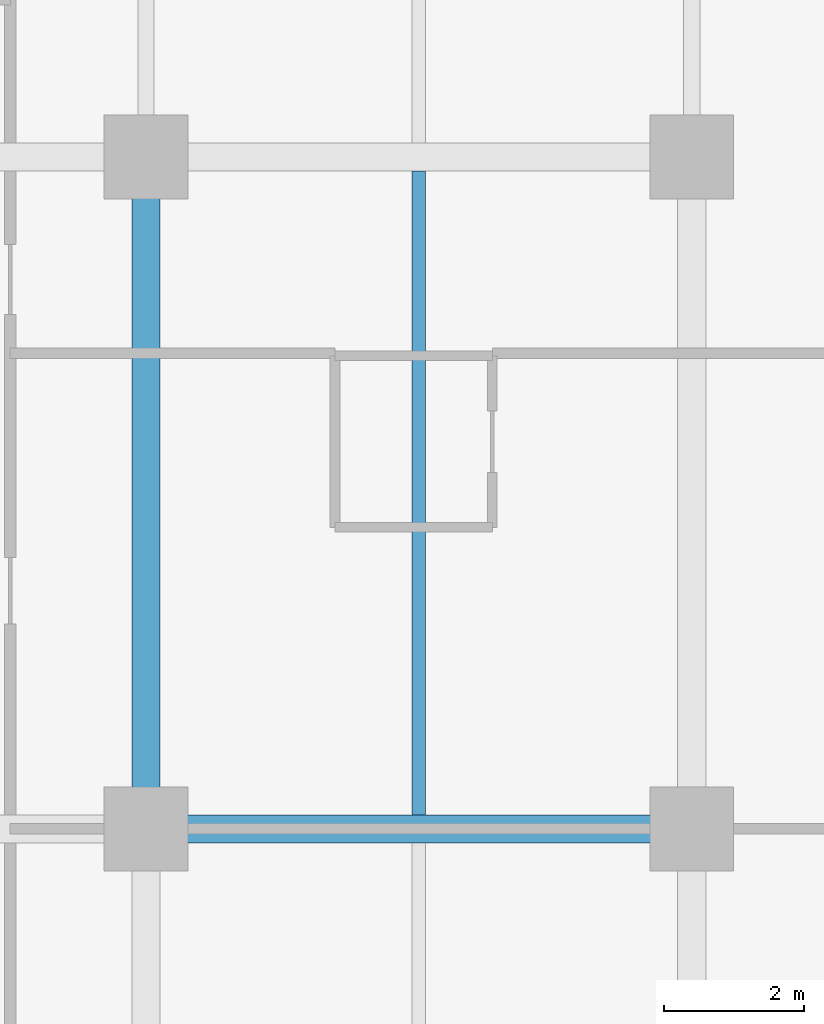
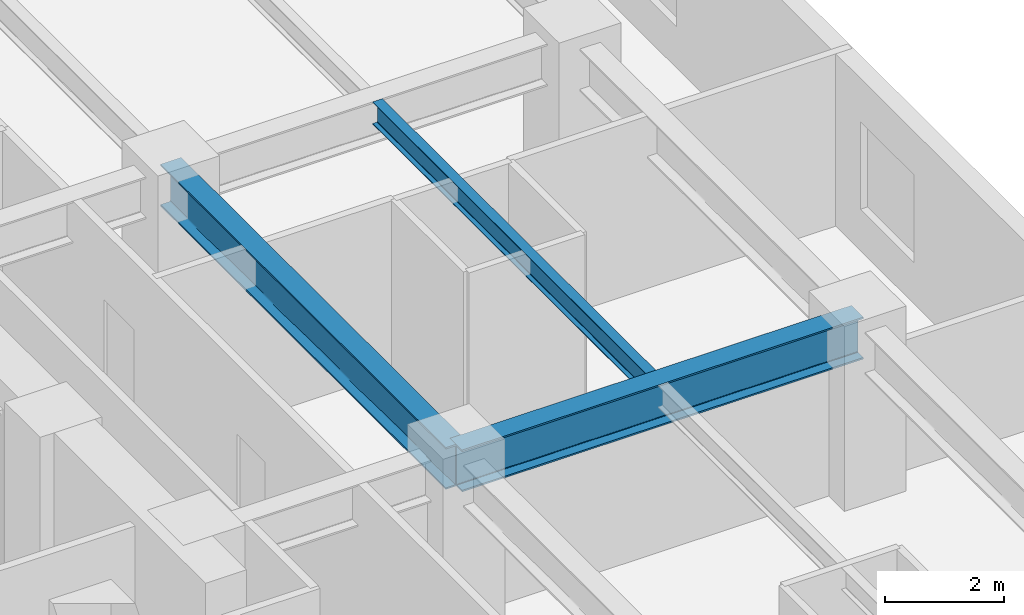
# One storey, part 2 of 12: 3 beams.
"""IFC4 building model written with IfcOpenShell, lengths in metres."""

from ifc_helpers import new_model, si_unit, direction, frame, origin, origin_2d, place, context, subcontext, project, spatial, i_section, extrude, material, material_profile, profile_set, type_object, element, save


model = new_model("IFC4")

# Units and contexts
model_context = context("Model", 3, precision=1e-05, world=origin(), true_north=direction((0.0, 1.0)))
body_context = subcontext(model_context, "Body", "Model", "MODEL_VIEW")
ifc_project = project(units=[si_unit("LENGTHUNIT", "METRE"), si_unit("AREAUNIT", "SQUARE_METRE"), si_unit("VOLUMEUNIT", "CUBIC_METRE"), si_unit("PLANEANGLEUNIT", "RADIAN"), si_unit("MASSUNIT", "GRAM", prefix="KILO")], contexts=[model_context])

# Site, building, storey
site_placement = place(None, origin())
site = spatial("IfcSite", under=ifc_project, at=site_placement, CompositionType="ELEMENT")
building_placement = place(site_placement, origin())
building = spatial("IfcBuilding", under=site, at=building_placement, Name="Kestravale Grand Hotel", CompositionType="ELEMENT")
storey_placement = place(building_placement, frame((0.0, 0.0, 103.199951171875)))
storey = spatial("IfcBuildingStorey", under=building, at=storey_placement, Name="L25", CompositionType="ELEMENT", Elevation=103.199951171875)

# Beams
ifc_material_1 = material(Name="Steel ASTM A992 Grade 50", Category="steel")
ifc_material_profile_1 = material_profile(ifc_material_1, i_section(OverallWidth=0.19091796875, OverallDepth=0.45703125, WebThickness=0.009033203125, FlangeThickness=0.014404296875, FilletRadius=0.015380859375, at=origin_2d()))
ifc_profile_set_1 = profile_set([ifc_material_profile_1], Name="Steel ASTM A992 Grade 50")
beam_type_1 = type_object("IfcBeamType", Name="B-FLR-JST18", PredefinedType="JOIST", material=ifc_profile_set_1)
beam_1_placement = place(storey_placement, frame((66.300048828125, 29.00048828125, 3.3115234375), z_axis=(0.0, 1.0, 0.0), x_axis=(-1.0, 0.0, 0.0)))
element("IfcBeam", 1, at=beam_1_placement, inside=storey, type_object=beam_type_1, Name="L25 floor joist 10-11/E-F #1", PredefinedType="JOIST", context=body_context, shape_type="SweptSolid", body=[
    extrude(i_section(OverallWidth=0.19091796875, OverallDepth=0.45703125, WebThickness=0.009033203125, FlangeThickness=0.014404296875, FilletRadius=0.015380859375, at=origin_2d()), origin(), (0.0, 0.0, 1.0), 9.198974609375),
])
ifc_material_2 = material(Name="Steel ASTM A992 Grade 50", Category="steel")
ifc_material_profile_2 = material_profile(ifc_material_2, i_section(OverallWidth=0.40087890625, OverallDepth=0.861083984375, WebThickness=0.019775390625, FlangeThickness=0.032470703125, FilletRadius=0.0234375, at=origin_2d()))
ifc_profile_set_2 = profile_set([ifc_material_profile_2], Name="Steel ASTM A992 Grade 50")
beam_type_2 = type_object("IfcBeamType", Name="B-GRD-W33", PredefinedType="BEAM", material=ifc_profile_set_2)
beam_2_placement = place(storey_placement, frame((62.39990234375, 28.800048828125, 3.109619140625), z_axis=(1.0, 0.0, 0.0), x_axis=(0.0, 1.0, 0.0)))
element("IfcBeam", 2, at=beam_2_placement, inside=storey, type_object=beam_type_2, Name="L25 girder E:10-11", PredefinedType="BEAM", context=body_context, shape_type="SweptSolid", body=[
    extrude(i_section(OverallWidth=0.40087890625, OverallDepth=0.861083984375, WebThickness=0.019775390625, FlangeThickness=0.032470703125, FilletRadius=0.0234375, at=origin_2d()), origin(), (0.0, 0.0, 1.0), 7.800048828125),
])
beam_3_placement = place(storey_placement, frame((62.39990234375, 28.800048828125, 3.109619140625), z_axis=(0.0, 1.0, 0.0), x_axis=(-1.0, 0.0, 0.0)))
element("IfcBeam", 3, at=beam_3_placement, inside=storey, type_object=beam_type_2, Name="L25 girder 10:E-F", PredefinedType="BEAM", context=body_context, shape_type="SweptSolid", body=[
    extrude(i_section(OverallWidth=0.40087890625, OverallDepth=0.861083984375, WebThickness=0.019775390625, FlangeThickness=0.032470703125, FilletRadius=0.0234375, at=origin_2d()), origin(), (0.0, 0.0, 1.0), 9.599853515625),
])

save(model, "model.ifc")
